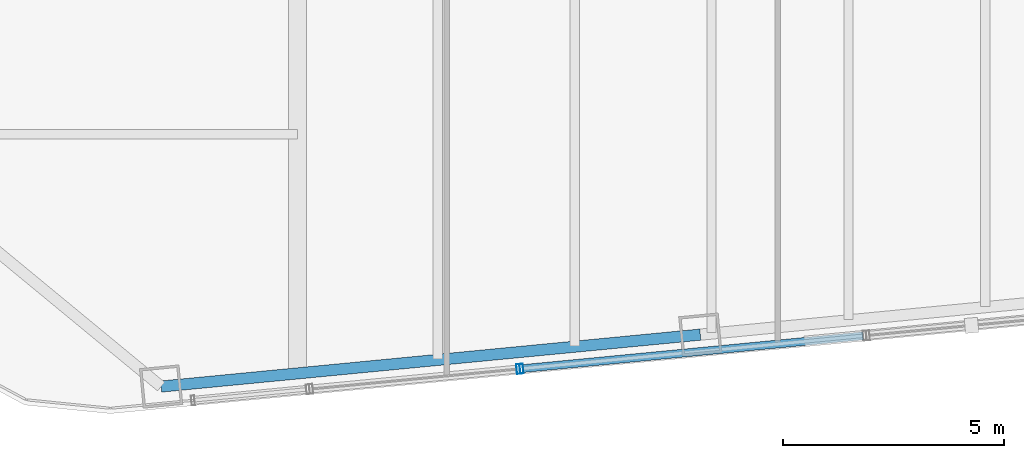
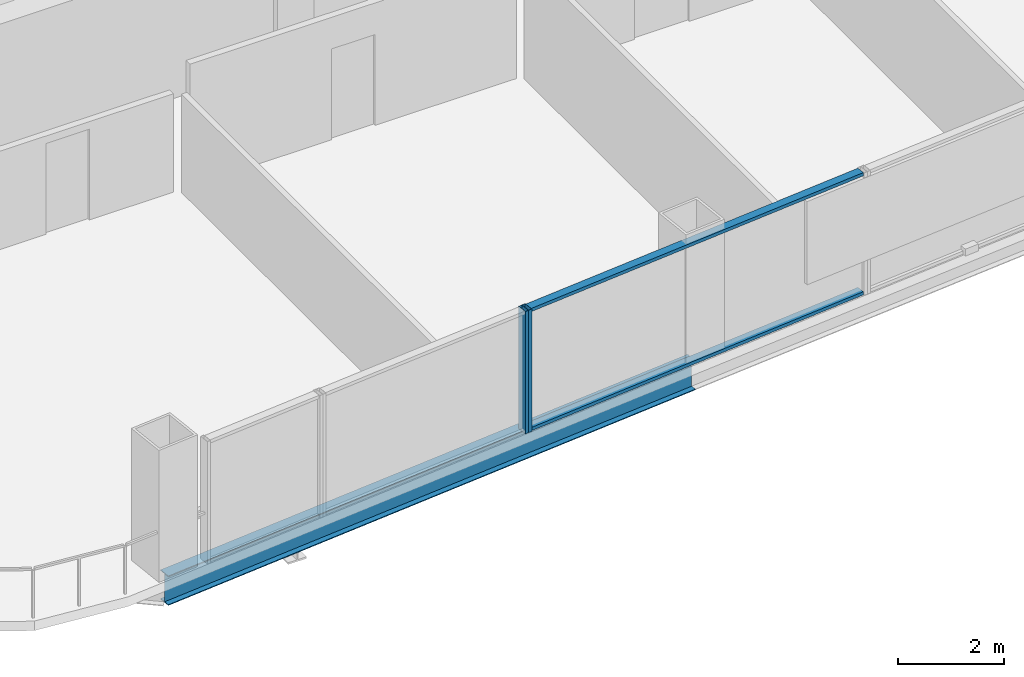
# One storey, part 4 of 32: 4 members, 1 beam, 2 elements without a shape of their own.
"""IFC4 building model written with IfcOpenShell, lengths in metres."""

from ifc_helpers import new_model, si_unit, direction, frame, origin, origin_2d, place, context, subcontext, project, spatial, hollow_rectangle, i_section, extrude, material, layer, layer_set, material_profile, profile_set, type_object, element, aggregate, save


model = new_model("IFC4")

# Units and contexts
model_context = context("Model", 3, precision=1e-05, world=origin(), true_north=direction((0.0, 1.0)))
body_context = subcontext(model_context, "Body", "Model", "MODEL_VIEW")
ifc_project = project(units=[si_unit("LENGTHUNIT", "METRE"), si_unit("AREAUNIT", "SQUARE_METRE"), si_unit("VOLUMEUNIT", "CUBIC_METRE"), si_unit("PLANEANGLEUNIT", "RADIAN"), si_unit("MASSUNIT", "GRAM", prefix="KILO")], contexts=[model_context])

# Site, building, storey
site_placement = place(None, origin())
site = spatial("IfcSite", under=ifc_project, at=site_placement, CompositionType="ELEMENT")
building_placement = place(site_placement, origin())
building = spatial("IfcBuilding", under=site, at=building_placement, Name="Qhalaya Broadcast Tower", CompositionType="ELEMENT")
storey_placement = place(building_placement, frame((0.0, 0.0, 87.75)))
storey = spatial("IfcBuildingStorey", under=building, at=storey_placement, Name="L25", CompositionType="ELEMENT", Elevation=87.75)

# Beam
ifc_material_1 = material(Name="Structural Steel ASTM A992 Grade 50", Category="steel")
ifc_material_profile_1 = material_profile(ifc_material_1, i_section(OverallWidth=0.25390625, OverallDepth=0.68310546875, WebThickness=0.012451171875, FlangeThickness=0.01904296875, at=origin_2d()), Name="W27X94")
ifc_profile_set_1 = profile_set([ifc_material_profile_1], Name="Structural Steel ASTM A992 Grade 50")
beam_type = type_object("IfcBeamType", Name="Perimeter Ring Spandrel Beam SP1", PredefinedType="SPANDREL", material=ifc_profile_set_1)
beam_placement = place(storey_placement, frame((-12.46533203125, -22.212646484375, -0.5615234375), z_axis=(0.99539563662, 0.095851586307, 0.0), x_axis=(-0.095851586307, 0.99539563662, 0.0)))
element("IfcBeam", 1, at=beam_placement, inside=storey, type_object=beam_type, Name="L25 SP1 L25-SPR-01", PredefinedType="SPANDREL", context=body_context, shape_type="SweptSolid", body=[
    extrude(i_section(OverallWidth=0.25390625, OverallDepth=0.68310546875, WebThickness=0.012451171875, FlangeThickness=0.01904296875, at=origin_2d()), origin(), (0.0, 0.0, 1.0), 12.2666015625),
])

# Curtain wall, member
ifc_material_2 = material(Name="Solar-Control Low-E Triple Glazing", Category="glass")
ifc_layer_1 = layer(ifc_material_2, 0.219970703125, Name="Solar-Control Low-E Triple Glazing")
ifc_layer_set_1 = layer_set([ifc_layer_1], Name="Solar-Control Low-E Triple Glazing")
curtain_wall_type_1 = type_object("IfcCurtainWallType", Name="Even-Block 4-Storey Double-Module Curtain Wall CW-03", PredefinedType="NOTDEFINED", material=ifc_layer_set_1)
curtain_wall_1_placement = place(storey_placement, origin())
curtain_wall_1 = element("IfcCurtainWall", 2, at=curtain_wall_1_placement, inside=storey, type_object=curtain_wall_type_1, Name="L25 Unitised Curtain Wall L25-CW-S2", PredefinedType="NOTDEFINED")
ifc_material_3 = material(Name="Anodised Aluminium 6063-T6", Category="aluminium")
ifc_material_profile_2 = material_profile(ifc_material_3, hollow_rectangle(XDim=0.074951171875, YDim=0.219970703125, WallThickness=0.00390625, at=origin_2d()), Name="ALU-MUL 75x220x4")
ifc_profile_set_2 = profile_set([ifc_material_profile_2], Name="Anodised Aluminium 6063-T6")
member_type_1 = type_object("IfcMemberType", Name="Unitised Curtain-Wall Mullion M01", PredefinedType="MULLION", material=ifc_profile_set_2)
member_1_placement = place(storey_placement, frame((-4.377685546875, -21.815673828125, 0.0), z_axis=(0.0, 0.0, 1.0), x_axis=(0.995394623965, 0.095862101904, 0.0)))
member_1 = element("IfcMember", 3, at=member_1_placement, type_object=member_type_1, Name="CW-03 mullion 2", PredefinedType="MULLION", context=body_context, shape_type="SweptSolid", body=[
    extrude(hollow_rectangle(XDim=0.074951171875, YDim=0.219970703125, WallThickness=0.00390625, at=origin_2d()), origin(), (0.0, 0.0, 1.0), 2.830078125),
])
aggregate(curtain_wall_1, [member_1])

# Curtain wall, members
ifc_material_4 = material(Name="Fired Architectural Terracotta", Category="masonry")
ifc_layer_2 = layer(ifc_material_4, 0.219970703125, Name="Fired Architectural Terracotta")
ifc_layer_set_2 = layer_set([ifc_layer_2], Name="Fired Architectural Terracotta")
curtain_wall_type_2 = type_object("IfcCurtainWallType", Name="Block-Cap Unitised Terracotta Spandrel Wall CW-07", PredefinedType="NOTDEFINED", material=ifc_layer_set_2)
curtain_wall_2_placement = place(storey_placement, origin())
curtain_wall_2 = element("IfcCurtainWall", 4, at=curtain_wall_2_placement, inside=storey, type_object=curtain_wall_type_2, Name="L25 Unitised Curtain Wall L25-CW-S3", PredefinedType="NOTDEFINED")
member_2_placement = place(storey_placement, frame((-4.302978515625, -21.808349609375, 0.0), z_axis=(0.0, 0.0, 1.0), x_axis=(0.995396908899, 0.095838373083, 0.0)))
member_2 = element("IfcMember", 5, at=member_2_placement, type_object=member_type_1, Name="CW-07 mullion 1", PredefinedType="MULLION", context=body_context, shape_type="SweptSolid", body=[
    extrude(hollow_rectangle(XDim=0.074951171875, YDim=0.219970703125, WallThickness=0.00390625, at=origin_2d()), origin(), (0.0, 0.0, 1.0), 2.830078125),
])
ifc_material_profile_3 = material_profile(ifc_material_3, hollow_rectangle(XDim=0.074951171875, YDim=0.179931640625, WallThickness=0.00390625, at=origin_2d()), Name="ALU-TRN 75x180x4")
ifc_profile_set_3 = profile_set([ifc_material_profile_3], Name="Anodised Aluminium 6063-T6")
member_type_2 = type_object("IfcMemberType", Name="Unitised Curtain-Wall Transom T01", PredefinedType="USERDEFINED", material=ifc_profile_set_3)
member_3_placement = place(storey_placement, frame((-4.265625, -21.804931640625, 0.03759765625), z_axis=(0.99539629116, 0.095844788822, 0.0), x_axis=(0.0, 0.0, 1.0)))
member_3 = element("IfcMember", 6, at=member_3_placement, type_object=member_type_2, Name="CW-07 transom 1.1", ObjectType="TRANSOM", PredefinedType="USERDEFINED", context=body_context, shape_type="SweptSolid", body=[
    extrude(hollow_rectangle(XDim=0.074951171875, YDim=0.179931640625, WallThickness=0.00390625, at=origin_2d()), origin(), (0.0, 0.0, 1.0), 7.73095703125),
])
member_4_placement = place(storey_placement, frame((-4.265625, -21.804931640625, 2.79248046875), z_axis=(0.99539629116, 0.095844788822, 0.0), x_axis=(0.0, 0.0, 1.0)))
member_4 = element("IfcMember", 7, at=member_4_placement, type_object=member_type_2, Name="CW-07 transom 1.2", ObjectType="TRANSOM", PredefinedType="USERDEFINED", context=body_context, shape_type="SweptSolid", body=[
    extrude(hollow_rectangle(XDim=0.074951171875, YDim=0.179931640625, WallThickness=0.00390625, at=origin_2d()), origin(), (0.0, 0.0, 1.0), 7.73095703125),
])
aggregate(curtain_wall_2, [member_2, member_3, member_4])

save(model, "model.ifc")
